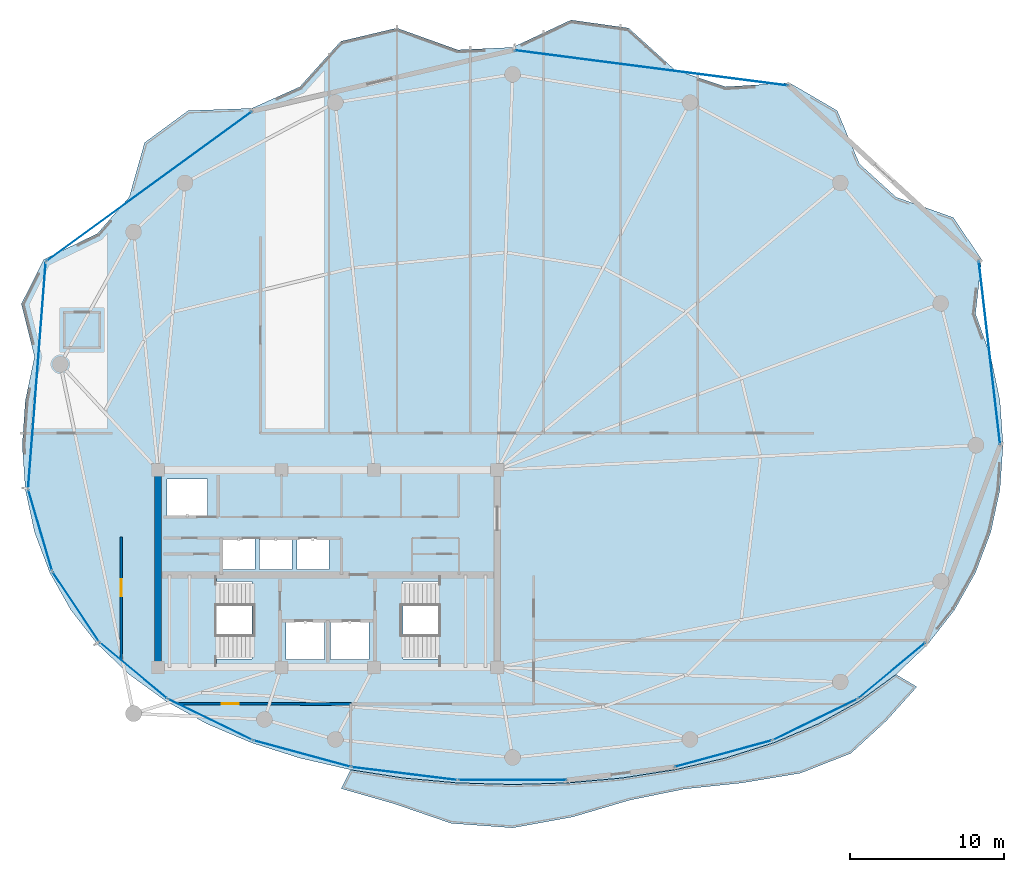
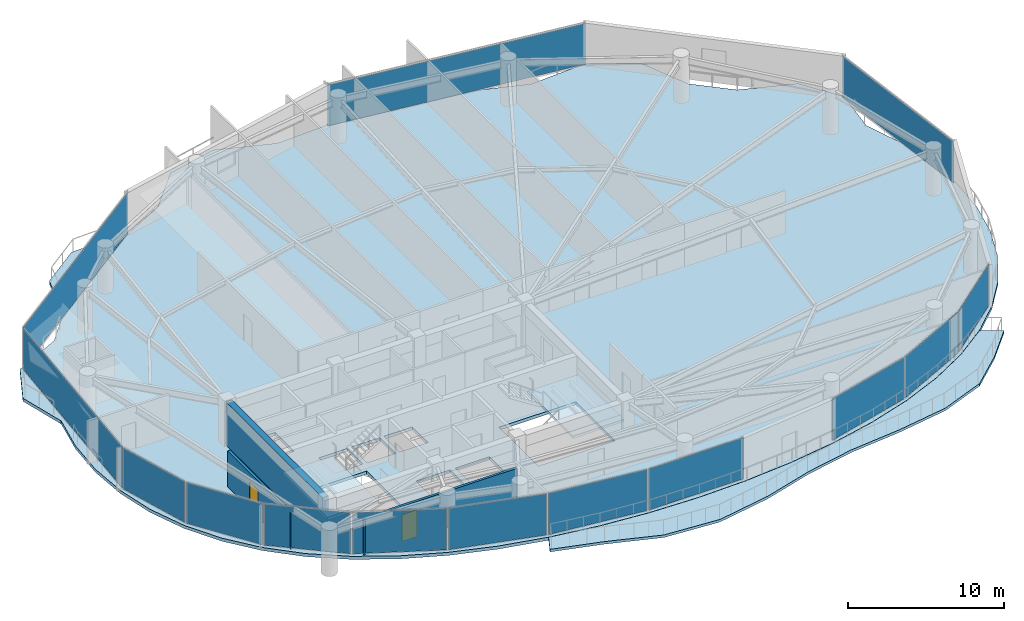
# One storey, part 24 of 30: 14 plates, 4 slabs, 3 walls, 2 doors, 2 openings, 16 elements without a shape of their own.
"""IFC4 building model written with IfcOpenShell, lengths in metres."""

from ifc_helpers import new_model, si_unit, direction, frame, frame_2d, origin, origin_2d, place, context, subcontext, project, spatial, polyline, rectangle, outline, extrude, material, layer, layer_set, type_object, element, fill, aggregate, save


model = new_model("IFC4")

# Units and contexts
model_context = context("Model", 3, precision=1e-05, world=origin(), true_north=direction((0.0, 1.0)))
body_context = subcontext(model_context, "Body", "Model", "MODEL_VIEW")
ifc_project = project(units=[si_unit("LENGTHUNIT", "METRE"), si_unit("AREAUNIT", "SQUARE_METRE"), si_unit("VOLUMEUNIT", "CUBIC_METRE"), si_unit("PLANEANGLEUNIT", "RADIAN"), si_unit("MASSUNIT", "GRAM", prefix="KILO")], contexts=[model_context])

# Site, building, storey
site_placement = place(None, origin())
site = spatial("IfcSite", under=ifc_project, at=site_placement, CompositionType="ELEMENT")
building_placement = place(site_placement, origin())
building = spatial("IfcBuilding", under=site, at=building_placement, Name="Kazevale Care Tower and Concert Hall", CompositionType="ELEMENT")
storey_placement = place(building_placement, frame((0.0, 0.0, 242.39990234375)))
storey = spatial("IfcBuildingStorey", under=building, at=storey_placement, Name="L64", CompositionType="ELEMENT", Elevation=242.39990234375)

# Curtain wall, plate
ifc_material_1 = material(Name="Aluminium 6063-T6 and Low-E Glass", Category="aluminium")
ifc_layer_1 = layer(ifc_material_1, 0.179931640625)
ifc_layer_set_1 = layer_set([ifc_layer_1], Name="Aluminium 6063-T6 and Low-E Glass")
curtain_wall_type_1 = type_object("IfcCurtainWallType", Name="Waist & Upper Residential Curtain Wall CW-4", PredefinedType="NOTDEFINED", material=ifc_layer_set_1)
curtain_wall_1_placement = place(storey_placement, origin())
curtain_wall_1 = element("IfcCurtainWall", 1, at=curtain_wall_1_placement, inside=storey, type_object=curtain_wall_type_1, Name="cw:L64:f11", PredefinedType="NOTDEFINED")
ifc_material_2 = material(Name="Low-E Laminated Glass", Category="glass")
ifc_layer_2 = layer(ifc_material_2, 0.030029296875)
ifc_layer_set_2 = layer_set([ifc_layer_2], Name="Low-E Laminated Glass")
plate_type_1 = type_object("IfcPlateType", Name="CW-4 Low-E Glazing Panel 30mm", PredefinedType="CURTAIN_PANEL", material=ifc_layer_set_2)
plate_1_placement = place(storey_placement, frame((16.677978515625, 27.525390625, 0.080078125), z_axis=(0.0, 0.0, 1.0), x_axis=(-0.554616540853, 0.832106058512, 0.0)))
plate_1 = element("IfcPlate", 2, at=plate_1_placement, type_object=plate_type_1, Name="CW-4 panel 1.1", PredefinedType="CURTAIN_PANEL", context=body_context, shape_type="SweptSolid", body=[
    extrude(rectangle(XDim=5.357421875, YDim=0.030029296875, at=origin_2d()), origin(), (0.0, 0.0, 1.0), 3.199951171875),
])
aggregate(curtain_wall_1, [plate_1])

curtain_wall_2_placement = place(storey_placement, origin())
curtain_wall_2 = element("IfcCurtainWall", 3, at=curtain_wall_2_placement, inside=storey, type_object=curtain_wall_type_1, Name="cw:L64:f12", PredefinedType="NOTDEFINED")
plate_2_placement = place(storey_placement, frame((14.363525390625, 32.489013671875, 0.080078125), z_axis=(0.0, 0.0, 1.0), x_axis=(-0.282098184457, 0.959385539982, 0.0)))
plate_2 = element("IfcPlate", 4, at=plate_2_placement, type_object=plate_type_1, Name="CW-4 panel 1.1", PredefinedType="CURTAIN_PANEL", context=body_context, shape_type="SweptSolid", body=[
    extrude(rectangle(XDim=5.40185546875, YDim=0.030029296875, at=origin_2d()), origin(), (0.0, 0.0, 1.0), 3.199951171875),
])
aggregate(curtain_wall_2, [plate_2])

curtain_wall_3_placement = place(storey_placement, origin())
curtain_wall_3 = element("IfcCurtainWall", 5, at=curtain_wall_3_placement, inside=storey, type_object=curtain_wall_type_1, Name="cw:L64:f13", PredefinedType="NOTDEFINED")
plate_3_placement = place(storey_placement, frame((14.152587890625, 42.531005859375, 0.080078125), z_axis=(0.0, 0.0, 1.0), x_axis=(0.077539106325, 0.996989311372, 0.0)))
plate_3 = element("IfcPlate", 6, at=plate_3_placement, type_object=plate_type_1, Name="CW-4 panel 1.1", PredefinedType="CURTAIN_PANEL", context=body_context, shape_type="SweptSolid", body=[
    extrude(rectangle(XDim=14.632568359375, YDim=0.030029296875, at=origin_2d()), origin(), (0.0, 0.0, 1.0), 3.199951171875),
])
aggregate(curtain_wall_3, [plate_3])

curtain_wall_4_placement = place(storey_placement, origin())
curtain_wall_4 = element("IfcCurtainWall", 7, at=curtain_wall_4_placement, inside=storey, type_object=curtain_wall_type_1, Name="cw:L64:f14", PredefinedType="NOTDEFINED")
plate_4_placement = place(storey_placement, frame((21.424560546875, 54.785888671875, 0.080078125), z_axis=(0.0, 0.0, 1.0), x_axis=(0.808198348937, 0.588910374145, 0.0)))
plate_4 = element("IfcPlate", 8, at=plate_4_placement, type_object=plate_type_1, Name="CW-4 panel 1.1", PredefinedType="CURTAIN_PANEL", context=body_context, shape_type="SweptSolid", body=[
    extrude(rectangle(XDim=16.416259765625, YDim=0.030029296875, at=origin_2d()), origin(), (0.0, 0.0, 1.0), 3.199951171875),
])
aggregate(curtain_wall_4, [plate_4])

curtain_wall_5_placement = place(storey_placement, origin())
curtain_wall_5 = element("IfcCurtainWall", 9, at=curtain_wall_5_placement, inside=storey, type_object=curtain_wall_type_1, Name="cw:L64:f16", PredefinedType="NOTDEFINED")
plate_5_placement = place(storey_placement, frame((53.978515625, 62.468017578125, 0.080078125), z_axis=(0.0, 0.0, 1.0), x_axis=(0.991761497713, -0.128098132904, 0.0)))
plate_5 = element("IfcPlate", 10, at=plate_5_placement, type_object=plate_type_1, Name="CW-4 panel 1.1", PredefinedType="CURTAIN_PANEL", context=body_context, shape_type="SweptSolid", body=[
    extrude(rectangle(XDim=17.857421875, YDim=0.030029296875, at=origin_2d()), origin(), (0.0, 0.0, 1.0), 3.199951171875),
])
aggregate(curtain_wall_5, [plate_5])

curtain_wall_6_placement = place(storey_placement, origin())
curtain_wall_6 = element("IfcCurtainWall", 11, at=curtain_wall_6_placement, inside=storey, type_object=curtain_wall_type_1, Name="cw:L64:f18", PredefinedType="NOTDEFINED")
plate_6_placement = place(storey_placement, frame((75.92041015625, 43.99755859375, 0.080078125), z_axis=(0.0, 0.0, 1.0), x_axis=(0.115846659989, -0.993267109779, 0.0)))
plate_6 = element("IfcPlate", 12, at=plate_6_placement, type_object=plate_type_1, Name="CW-4 panel 1.1", PredefinedType="CURTAIN_PANEL", context=body_context, shape_type="SweptSolid", body=[
    extrude(rectangle(XDim=11.916259765625, YDim=0.030029296875, at=origin_2d()), origin(), (0.0, 0.0, 1.0), 3.199951171875),
])
aggregate(curtain_wall_6, [plate_6])

ifc_layer_3 = layer(ifc_material_1, 0.179931640625)
ifc_layer_set_3 = layer_set([ifc_layer_3], Name="Aluminium 6063-T6 and Low-E Glass")
curtain_wall_type_2 = type_object("IfcCurtainWallType", Name="Sheltered Concave Balcony Curtain Wall CW-5", PredefinedType="NOTDEFINED", material=ifc_layer_set_3)
curtain_wall_7_placement = place(storey_placement, origin())
curtain_wall_7 = element("IfcCurtainWall", 13, at=curtain_wall_7_placement, inside=storey, type_object=curtain_wall_type_2, Name="cw:L64:f02", PredefinedType="NOTDEFINED")
ifc_layer_4 = layer(ifc_material_2, 0.02587890625)
ifc_layer_set_4 = layer_set([ifc_layer_4], Name="Low-E Laminated Glass")
plate_type_2 = type_object("IfcPlateType", Name="CW-5 Low-E Glazing Panel 26mm", PredefinedType="CURTAIN_PANEL", material=ifc_layer_set_4)
plate_7_placement = place(storey_placement, frame((69.590576171875, 23.396484375, 0.0751953125), z_axis=(0.0, 0.0, 1.0), x_axis=(-0.768407210062, -0.639961217204, 0.0)))
plate_7 = element("IfcPlate", 14, at=plate_7_placement, type_object=plate_type_2, Name="CW-5 panel 1.1", PredefinedType="CURTAIN_PANEL", context=body_context, shape_type="SweptSolid", body=[
    extrude(rectangle(XDim=5.580078125, YDim=0.02587890625, at=origin_2d()), origin(), (0.0, 0.0, 1.0), 3.2099609375),
])
aggregate(curtain_wall_7, [plate_7])

curtain_wall_8_placement = place(storey_placement, origin())
curtain_wall_8 = element("IfcCurtainWall", 15, at=curtain_wall_8_placement, inside=storey, type_object=curtain_wall_type_2, Name="cw:L64:f03", PredefinedType="NOTDEFINED")
plate_8_placement = place(storey_placement, frame((64.62255859375, 20.218017578125, 0.0751953125), z_axis=(0.0, 0.0, 1.0), x_axis=(-0.89934566163, -0.437238357087, 0.0)))
plate_8 = element("IfcPlate", 16, at=plate_8_placement, type_object=plate_type_2, Name="CW-5 panel 1.1", PredefinedType="CURTAIN_PANEL", context=body_context, shape_type="SweptSolid", body=[
    extrude(rectangle(XDim=6.002197265625, YDim=0.02587890625, at=origin_2d()), origin(), (0.0, 0.0, 1.0), 3.2099609375),
])
aggregate(curtain_wall_8, [plate_8])

curtain_wall_9_placement = place(storey_placement, origin())
curtain_wall_9 = element("IfcCurtainWall", 17, at=curtain_wall_9_placement, inside=storey, type_object=curtain_wall_type_2, Name="cw:L64:f04", PredefinedType="NOTDEFINED")
plate_9_placement = place(storey_placement, frame((58.66259765625, 18.0029296875, 0.0751953125), z_axis=(0.0, 0.0, 1.0), x_axis=(-0.964836991167, -0.262848968947, 0.0)))
plate_9 = element("IfcPlate", 18, at=plate_9_placement, type_object=plate_type_2, Name="CW-5 panel 1.1", PredefinedType="CURTAIN_PANEL", context=body_context, shape_type="SweptSolid", body=[
    extrude(rectangle(XDim=6.4697265625, YDim=0.02587890625, at=origin_2d()), origin(), (0.0, 0.0, 1.0), 3.2099609375),
])
aggregate(curtain_wall_9, [plate_9])

curtain_wall_10_placement = place(storey_placement, origin())
curtain_wall_10 = element("IfcCurtainWall", 19, at=curtain_wall_10_placement, inside=storey, type_object=curtain_wall_type_2, Name="cw:L64:f06", PredefinedType="NOTDEFINED")
plate_10_placement = place(storey_placement, frame((45.0, 16.284912109375, 0.0751953125), z_axis=(0.0, 0.0, 1.0), x_axis=(-1.0, 0.0, 0.0)))
plate_10 = element("IfcPlate", 20, at=plate_10_placement, type_object=plate_type_2, Name="CW-5 panel 1.1", PredefinedType="CURTAIN_PANEL", context=body_context, shape_type="SweptSolid", body=[
    extrude(rectangle(XDim=6.949951171875, YDim=0.02587890625, at=origin_2d()), origin(), (0.0, 0.0, 1.0), 3.2099609375),
])
aggregate(curtain_wall_10, [plate_10])

curtain_wall_11_placement = place(storey_placement, origin())
curtain_wall_11 = element("IfcCurtainWall", 21, at=curtain_wall_11_placement, inside=storey, type_object=curtain_wall_type_2, Name="cw:L64:f07", PredefinedType="NOTDEFINED")
plate_11_placement = place(storey_placement, frame((37.990478515625, 16.708984375, 0.0751953125), z_axis=(0.0, 0.0, 1.0), x_axis=(-0.992572961225, 0.121650797964, 0.0)))
plate_11 = element("IfcPlate", 22, at=plate_11_placement, type_object=plate_type_2, Name="CW-5 panel 1.1", PredefinedType="CURTAIN_PANEL", context=body_context, shape_type="SweptSolid", body=[
    extrude(rectangle(XDim=6.82080078125, YDim=0.02587890625, at=origin_2d()), origin(), (0.0, 0.0, 1.0), 3.2099609375),
])
aggregate(curtain_wall_11, [plate_11])

curtain_wall_12_placement = place(storey_placement, origin())
curtain_wall_12 = element("IfcCurtainWall", 23, at=curtain_wall_12_placement, inside=storey, type_object=curtain_wall_type_2, Name="cw:L64:f08", PredefinedType="NOTDEFINED")
plate_12_placement = place(storey_placement, frame((31.33740234375, 18.0029296875, 0.0751953125), z_axis=(0.0, 0.0, 1.0), x_axis=(-0.964836991167, 0.262848968947, 0.0)))
plate_12 = element("IfcPlate", 24, at=plate_12_placement, type_object=plate_type_2, Name="CW-5 panel 1.1", PredefinedType="CURTAIN_PANEL", context=body_context, shape_type="SweptSolid", body=[
    extrude(rectangle(XDim=6.4697265625, YDim=0.02587890625, at=origin_2d()), origin(), (0.0, 0.0, 1.0), 3.2099609375),
])
aggregate(curtain_wall_12, [plate_12])

curtain_wall_13_placement = place(storey_placement, origin())
curtain_wall_13 = element("IfcCurtainWall", 25, at=curtain_wall_13_placement, inside=storey, type_object=curtain_wall_type_2, Name="cw:L64:f09", PredefinedType="NOTDEFINED")
plate_13_placement = place(storey_placement, frame((25.37744140625, 20.218017578125, 0.0751953125), z_axis=(0.0, 0.0, 1.0), x_axis=(-0.89934566163, 0.437238357087, 0.0)))
plate_13 = element("IfcPlate", 26, at=plate_13_placement, type_object=plate_type_2, Name="CW-5 panel 1.1", PredefinedType="CURTAIN_PANEL", context=body_context, shape_type="SweptSolid", body=[
    extrude(rectangle(XDim=6.002197265625, YDim=0.02587890625, at=origin_2d()), origin(), (0.0, 0.0, 1.0), 3.2099609375),
])
aggregate(curtain_wall_13, [plate_13])

curtain_wall_14_placement = place(storey_placement, origin())
curtain_wall_14 = element("IfcCurtainWall", 27, at=curtain_wall_14_placement, inside=storey, type_object=curtain_wall_type_2, Name="cw:L64:f10", PredefinedType="NOTDEFINED")
plate_14_placement = place(storey_placement, frame((20.409423828125, 23.396484375, 0.0751953125), z_axis=(0.0, 0.0, 1.0), x_axis=(-0.768407210062, 0.639961217204, 0.0)))
plate_14 = element("IfcPlate", 28, at=plate_14_placement, type_object=plate_type_2, Name="CW-5 panel 1.1", PredefinedType="CURTAIN_PANEL", context=body_context, shape_type="SweptSolid", body=[
    extrude(rectangle(XDim=5.580078125, YDim=0.02587890625, at=origin_2d()), origin(), (0.0, 0.0, 1.0), 3.2099609375),
])
aggregate(curtain_wall_14, [plate_14])

# Slab
ifc_material_3 = material(Name="Concrete C40", Category="concrete")
ifc_layer_5 = layer(ifc_material_3, 0.199951171875)
ifc_layer_set_5 = layer_set([ifc_layer_5], Name="Concrete C40")
slab_type_1 = type_object("IfcSlabType", Name="Sinusoidal Concave Balcony Slab 200", PredefinedType="USERDEFINED", material=ifc_layer_set_5)
slab_1_placement = place(storey_placement, frame((0.0, 0.0, -0.199951171875)))
element("IfcSlab", 29, at=slab_1_placement, inside=storey, type_object=slab_type_1, Name="slab:L64:bal", ObjectType="BALCONY", PredefinedType="USERDEFINED", context=body_context, shape_type="SweptSolid", body=[
    extrude(outline(polyline([(71.2080078125, 22.332275390625), (69.225830078125, 20.127197265625), (66.927734375, 18.01953125), (63.6474609375, 16.731689453125), (59.890869140625, 16.10595703125), (56.126220703125, 15.70751953125), (52.550048828125, 14.9775390625), (48.918212890625, 13.905029296875), (45.0, 13.19091796875), (41.012939453125, 13.482421875), (37.37060546875, 14.735107421875), (33.886962890625, 15.7333984375), (34.494873046875, 16.951416015625), (34.49609375, 16.951171875), (37.923095703125, 16.417236328125), (41.439208984375, 16.10009765625), (45.0, 15.9951171875), (48.560791015625, 16.10009765625), (52.076904296875, 16.417236328125), (55.50390625, 16.951171875), (58.798828125, 17.708740234375), (61.92041015625, 18.69873046875), (64.8291015625, 19.92919921875), (67.48876953125, 21.406494140625), (69.865478515625, 23.133056640625), (69.86669921875, 23.13427734375), (71.2080078125, 22.332275390625)])), origin(), (0.0, 0.0, 1.0), 0.199951171875),
])

# Stair, slab
stair_type = type_object("IfcStairType", Name="Exit Stair Assembly ST1-Z3", PredefinedType="HALF_TURN_STAIR", material=ifc_material_3)
stair_1_placement = place(storey_placement, origin())
stair_1 = element("IfcStair", 30, at=stair_1_placement, inside=storey, type_object=stair_type, Name="stair:L64:ST1", PredefinedType="HALF_TURN_STAIR")
ifc_layer_6 = layer(ifc_material_3, 0.199951171875)
ifc_layer_set_6 = layer_set([ifc_layer_6], Name="Concrete C40")
slab_type_2 = type_object("IfcSlabType", Name="Stair Half-Landing Slab ST1-Z3", PredefinedType="LANDING", material=ifc_layer_set_6)
slab_2_placement = place(storey_placement, frame((0.0, 0.0, 1.60009765625)))
slab_2 = element("IfcSlab", 31, at=slab_2_placement, type_object=slab_type_2, Name="ST1-Z3 landing 1", PredefinedType="LANDING", context=body_context, shape_type="SweptSolid", body=[
    extrude(outline(polyline([(22.050048828125, 23.699951171875), (25.81005859375, 23.699951171875), (25.81005859375, 29.5), (22.050048828125, 29.5), (22.050048828125, 23.699951171875)])), origin(), (0.0, 0.0, 1.0), 0.199951171875),
])
aggregate(stair_1, [slab_2])

stair_2_placement = place(storey_placement, origin())
stair_2 = element("IfcStair", 32, at=stair_2_placement, inside=storey, type_object=stair_type, Name="stair:L64:ST2", PredefinedType="HALF_TURN_STAIR")
slab_3_placement = place(storey_placement, frame((0.0, 0.0, 1.60009765625)))
slab_3 = element("IfcSlab", 33, at=slab_3_placement, type_object=slab_type_2, Name="ST1-Z3 landing 1", PredefinedType="LANDING", context=body_context, shape_type="SweptSolid", body=[
    extrude(outline(polyline([(40.18994140625, 23.699951171875), (43.949951171875, 23.699951171875), (43.949951171875, 29.5), (40.18994140625, 29.5), (40.18994140625, 23.699951171875)])), origin(), (0.0, 0.0, 1.0), 0.199951171875),
])
aggregate(stair_2, [slab_3])

# Slab
ifc_layer_7 = layer(ifc_material_3, 0.239990234375)
ifc_layer_set_7 = layer_set([ifc_layer_7], Name="Concrete C40")
slab_type_3 = type_object("IfcSlabType", Name="Tower Typical Floor Slab 240", PredefinedType="FLOOR", material=ifc_layer_set_7)
slab_4_placement = place(storey_placement, frame((0.0, 0.0, -0.239990234375)))
element("IfcSlab", 34, at=slab_4_placement, inside=storey, type_object=slab_type_3, Name="slab:L64:tw:1", PredefinedType="FLOOR", context=body_context, shape_type="SweptSolid", body=[
    extrude(outline(polyline([(76.800048828125, 38.0), (76.60009765625, 40.888671875), (76.002685546875, 43.740966796875), (75.015380859375, 46.521240234375), (75.40771484375, 50.040283203125), (73.576904296875, 52.763916015625), (69.8623046875, 54.0859375), (67.486083984375, 56.243408203125), (66.042724609375, 59.69580078125), (62.9560546875, 61.49658203125), (58.797607421875, 61.2451171875), (55.5029296875, 62.352294921875), (52.510009765625, 65.05419921875), (48.77880859375, 65.575439453125), (45.0, 63.800048828125), (41.439453125, 63.6376953125), (37.489990234375, 65.05419921875), (33.85302734375, 64.19287109375), (31.202392578125, 61.2451171875), (28.081298828125, 59.845458984375), (23.957275390625, 59.69580078125), (21.135009765625, 57.622314453125), (20.1376953125, 54.0859375), (18.07421875, 51.726318359375), (14.59228515625, 50.040283203125), (13.143798828125, 47.165283203125), (13.997314453125, 43.740966796875), (13.39990234375, 40.888671875), (13.199951171875, 38.0), (13.39990234375, 35.131103515625), (13.997314453125, 32.362060546875), (14.984619140625, 29.744873046875), (16.34912109375, 27.318115234375), (18.07421875, 25.109130859375), (20.1376953125, 23.13671875), (22.513916015625, 21.41064453125), (25.173095703125, 19.933837890625), (28.081298828125, 18.70361328125), (31.202392578125, 17.713623046875), (34.4970703125, 16.9560546875), (37.923828125, 16.422119140625), (41.439453125, 16.10498046875), (45.0, 16.0), (48.560546875, 16.10498046875), (52.076171875, 16.422119140625), (55.5029296875, 16.9560546875), (58.797607421875, 17.713623046875), (61.918701171875, 18.70361328125), (64.826904296875, 19.933837890625), (67.486083984375, 21.41064453125), (69.8623046875, 23.13671875), (71.92578125, 25.109130859375), (73.65087890625, 27.318115234375), (75.015380859375, 29.744873046875), (76.002685546875, 32.362060546875), (76.60009765625, 35.131103515625), (76.800048828125, 38.0)]), holes=[polyline([(22.449951171875, 24.14990234375), (28.110107421875, 24.14990234375), (28.110107421875, 29.14990234375), (22.449951171875, 29.14990234375), (22.449951171875, 24.14990234375)]), polyline([(37.889892578125, 24.14990234375), (43.550048828125, 24.14990234375), (43.550048828125, 29.14990234375), (37.889892578125, 29.14990234375), (37.889892578125, 24.14990234375)]), polyline([(30.300048828125, 24.10009765625), (32.800048828125, 24.10009765625), (32.800048828125, 26.60009765625), (30.300048828125, 26.60009765625), (30.300048828125, 24.10009765625)]), polyline([(33.199951171875, 24.10009765625), (35.699951171875, 24.10009765625), (35.699951171875, 26.60009765625), (33.199951171875, 26.60009765625), (33.199951171875, 24.10009765625)]), polyline([(22.60009765625, 33.39990234375), (25.199951171875, 33.39990234375), (25.199951171875, 35.800048828125), (22.60009765625, 35.800048828125), (22.60009765625, 33.39990234375)]), polyline([(26.199951171875, 29.949951171875), (28.300048828125, 29.949951171875), (28.300048828125, 31.949951171875), (26.199951171875, 31.949951171875), (26.199951171875, 29.949951171875)]), polyline([(28.60009765625, 29.949951171875), (30.699951171875, 29.949951171875), (30.699951171875, 31.949951171875), (28.60009765625, 31.949951171875), (28.60009765625, 29.949951171875)]), polyline([(31.0, 29.949951171875), (33.10009765625, 29.949951171875), (33.10009765625, 31.949951171875), (31.0, 31.949951171875), (31.0, 29.949951171875)])]), origin(), (0.0, 0.0, 1.0), 0.239990234375),
])

# Wall
ifc_material_4 = material(Name="Concrete C50", Category="concrete")
ifc_layer_8 = layer(ifc_material_4, 0.449951171875)
ifc_layer_set_8 = layer_set([ifc_layer_8], Name="Concrete C50")
wall_type_1 = type_object("IfcWallType", Name="Core Shear Wall 450 C50", PredefinedType="SHEAR", material=ifc_layer_set_8)
wall_1_placement = place(storey_placement, frame((22.0, 23.824951171875, 0.0), z_axis=(0.0, 0.0, 1.0), x_axis=(0.0, 1.0, 0.0)))
element("IfcWall", 35, at=wall_1_placement, inside=storey, type_object=wall_type_1, Name="wall:L64:core:W", PredefinedType="SHEAR", context=body_context, shape_type="SweptSolid", body=[
    extrude(rectangle(XDim=12.35009765625, YDim=0.449951171875, at=frame_2d((6.175048828125, 0.0))), origin(), (0.0, 0.0, 1.0), 3.360107421875),
])

# Wall, opening, door
ifc_material_5 = material(Name="Concrete C40 and Acoustic Gypsum", Category="concrete")
ifc_layer_9 = layer(ifc_material_5, 0.179931640625)
ifc_layer_set_9 = layer_set([ifc_layer_9], Name="Concrete C40 and Acoustic Gypsum")
wall_type_2 = type_object("IfcWallType", Name="Fire-Rated Corridor & Party Wall 180", PredefinedType="PARTITIONING", material=ifc_layer_set_9)
wall_2_placement = place(storey_placement, frame((34.56494140625, 21.22509765625, 0.0), z_axis=(0.0, 0.0, 1.0), x_axis=(-0.999998853153, 0.001514494152, 0.0)))
wall_2 = element("IfcWall", 36, at=wall_2_placement, inside=storey, type_object=wall_type_2, Name="wall:L64:auto_012", PredefinedType="PARTITIONING", context=body_context, shape_type="SweptSolid", body=[
    extrude(rectangle(XDim=11.2841796875, YDim=0.179931640625, at=frame_2d((5.64208984375, 0.0))), origin(), (0.0, 0.0, 1.0), 2.80615234375),
])
opening_1_placement = place(wall_2_placement, frame((7.3291015625, 0.0, 0.0)))
opening_1 = element("IfcOpeningElement", 37, at=opening_1_placement, cuts=wall_2, Name="Opening ID-1100", PredefinedType="OPENING", context=body_context, shape_type="SweptSolid", body=[
    extrude(rectangle(XDim=1.10009765625, YDim=2.10009765625, at=frame_2d((0.550048828125, 1.050048828125))), frame((0.0, 0.099853515625, 0.0), z_axis=(0.0, -1.0, 0.0), x_axis=(1.0, 0.0, 0.0)), (0.0, 0.0, 1.0), 0.199951171875),
])
ifc_material_6 = material(Name="Oak Timber Fire Leaf", Category="wood")
door_type = type_object("IfcDoorType", Name="Care Bedroom Accessible Door 1100x2100", OperationType="NOTDEFINED", PredefinedType="DOOR", material=ifc_material_6)
door_1_placement = place(opening_1_placement, origin())
door_1 = element("IfcDoor", 38, at=door_1_placement, inside=storey, type_object=door_type, Name="door:L64:ad_012", OperationType="SINGLE_SWING_LEFT", OverallHeight=2.10009765625, OverallWidth=1.10009765625, PredefinedType="DOOR", context=body_context, shape_type="SweptSolid", body=[
    extrude(rectangle(XDim=1.10009765625, YDim=2.10009765625, at=frame_2d((0.550048828125, 1.050048828125))), frame((0.0, 0.02490234375, 0.0), z_axis=(0.0, -1.0, 0.0), x_axis=(1.0, 0.0, 0.0)), (0.0, 0.0, 1.0), 0.050048828125),
])
fill(opening_1, door_1)

wall_3_placement = place(storey_placement, frame((19.625, 24.059814453125, 0.0), z_axis=(0.0, 0.0, 1.0), x_axis=(0.0, 1.0, 0.0)))
wall_3 = element("IfcWall", 39, at=wall_3_placement, inside=storey, type_object=wall_type_2, Name="wall:L64:auto_014", PredefinedType="PARTITIONING", context=body_context, shape_type="SweptSolid", body=[
    extrude(rectangle(XDim=8.005126953125, YDim=0.179931640625, at=frame_2d((4.00244140625, 0.0))), origin(), (0.0, 0.0, 1.0), 2.817138671875),
])
opening_2_placement = place(wall_3_placement, frame((4.139892578125, 0.0, 0.0)))
opening_2 = element("IfcOpeningElement", 40, at=opening_2_placement, cuts=wall_3, Name="Opening ID-1100", PredefinedType="OPENING", context=body_context, shape_type="SweptSolid", body=[
    extrude(rectangle(XDim=1.10009765625, YDim=2.10009765625, at=frame_2d((0.550048828125, 1.050048828125))), frame((0.0, 0.099853515625, 0.0), z_axis=(0.0, -1.0, 0.0), x_axis=(1.0, 0.0, 0.0)), (0.0, 0.0, 1.0), 0.199951171875),
])
door_2_placement = place(opening_2_placement, origin())
door_2 = element("IfcDoor", 41, at=door_2_placement, inside=storey, type_object=door_type, Name="door:L64:ad_014", OperationType="SINGLE_SWING_LEFT", OverallHeight=2.10009765625, OverallWidth=1.10009765625, PredefinedType="DOOR", context=body_context, shape_type="SweptSolid", body=[
    extrude(rectangle(XDim=1.10009765625, YDim=2.10009765625, at=frame_2d((0.550048828125, 1.050048828125))), frame((0.0, 0.02490234375, 0.0), z_axis=(0.0, -1.0, 0.0), x_axis=(1.0, 0.0, 0.0)), (0.0, 0.0, 1.0), 0.050048828125),
])
fill(opening_2, door_2)

save(model, "model.ifc")
